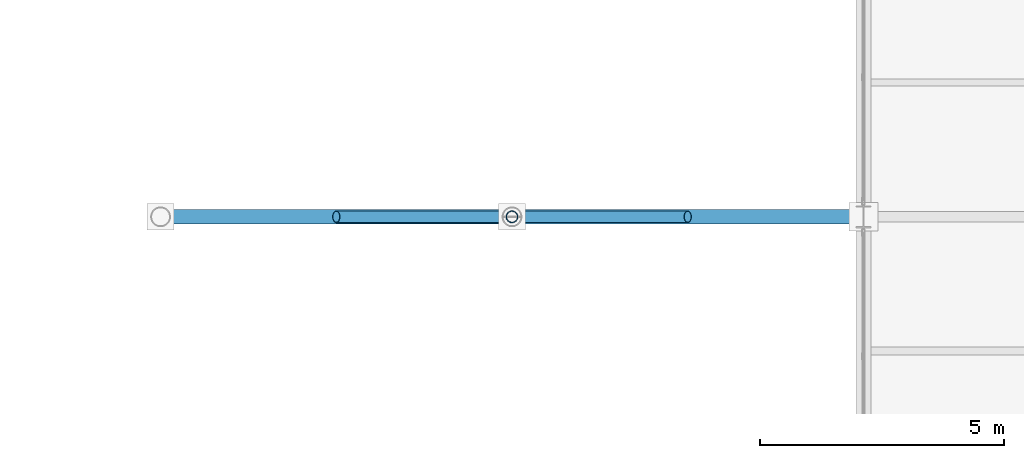
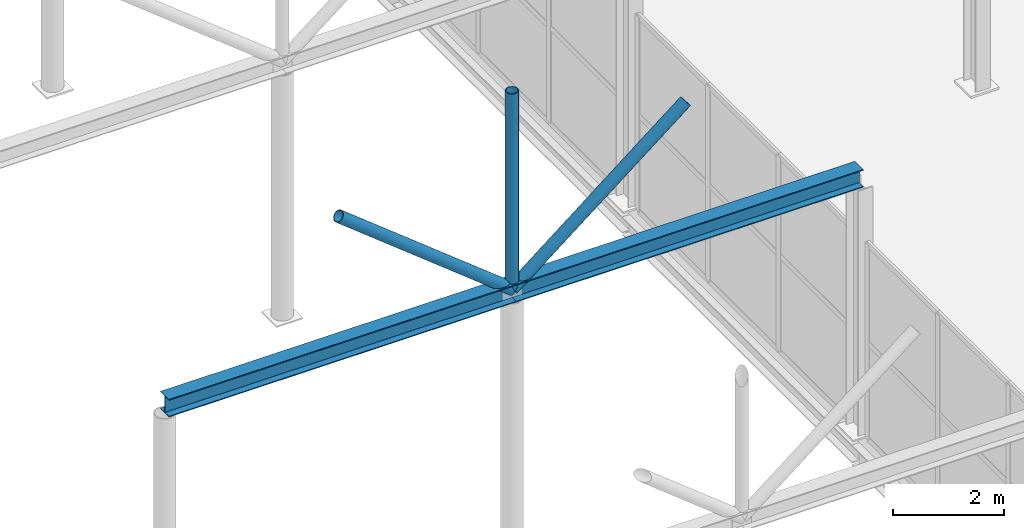
# One storey, part 21 of 147: 3 members, 2 beams.
"""IFC4 building model written with IfcOpenShell, lengths in metres."""

from ifc_helpers import new_model, si_unit, direction, frame, origin, origin_2d, place, context, subcontext, project, spatial, hollow_circle, i_section, extrude, material, material_profile, profile_set, type_object, element, save


model = new_model("IFC4")

# Units and contexts
model_context = context("Model", 3, precision=1e-05, world=origin(), true_north=direction((0.0, 1.0)))
body_context = subcontext(model_context, "Body", "Model", "MODEL_VIEW")
ifc_project = project(units=[si_unit("LENGTHUNIT", "METRE"), si_unit("AREAUNIT", "SQUARE_METRE"), si_unit("VOLUMEUNIT", "CUBIC_METRE"), si_unit("PLANEANGLEUNIT", "RADIAN"), si_unit("MASSUNIT", "GRAM", prefix="KILO")], contexts=[model_context])

# Site, building, storey
site_placement = place(None, origin())
site = spatial("IfcSite", under=ifc_project, at=site_placement, CompositionType="ELEMENT")
building_placement = place(site_placement, origin())
building = spatial("IfcBuilding", under=site, at=building_placement, Name="Sundgate Opera House", CompositionType="ELEMENT")
storey_placement = place(building_placement, frame((0.0, 0.0, 6.0)))
storey = spatial("IfcBuildingStorey", under=building, at=storey_placement, Name="L01", CompositionType="ELEMENT", Elevation=6.0)

# Beams
ifc_material_1 = material(Name="Steel S355J2", Category="steel")
ifc_material_profile_1 = material_profile(ifc_material_1, i_section(OverallWidth=0.300048828125, OverallDepth=0.389892578125, WebThickness=0.010986328125, FlangeThickness=0.01904296875, at=origin_2d()), Name="HEA 400")
ifc_profile_set_1 = profile_set([ifc_material_profile_1], Name="Steel S355J2")
beam_type = type_object("IfcBeamType", Name="BM-GR-HEA400", PredefinedType="BEAM", material=ifc_profile_set_1)
for number, where, z_axis, x_axis, name in (
    (1, (81.0, 8.25, 5.5849609375), (1.0, 0.0, 0.0), (0.0, 1.0, 0.0), "L01 Passage Arch Tie Beam B3393"),
    (2, (88.199951171875, 8.25, 5.5849609375), (1.0, 0.0, 0.0), (0.0, 1.0, 0.0), "L01 Passage Arch Tie Beam B3394"),
):
    element("IfcBeam", number, at=place(storey_placement, frame(where, z_axis=z_axis, x_axis=x_axis)), inside=storey, type_object=beam_type, Name=name, PredefinedType="BEAM", context=body_context, shape_type="SweptSolid", body=[
        extrude(i_section(OverallWidth=0.300048828125, OverallDepth=0.389892578125, WebThickness=0.010986328125, FlangeThickness=0.01904296875, at=origin_2d()), origin(), (0.0, 0.0, 1.0), 7.199951171875),
    ])

# Members
ifc_material_2 = material(Name="Steel S355J2", Category="steel")
ifc_material_profile_2 = material_profile(ifc_material_2, hollow_circle(Radius=0.122314453125, WallThickness=0.012451171875, at=origin_2d()), Name="CHS 244.5x12.5")
ifc_profile_set_2 = profile_set([ifc_material_profile_2], Name="Steel S355J2")
member_type = type_object("IfcMemberType", Name="MB-STRUT-CHS244", PredefinedType="STRUT", material=ifc_profile_set_2)
member_1_placement = place(storey_placement, frame((88.199951171875, 8.25, 5.594970703125), z_axis=(-0.78350570776, 0.0, 0.621384587762), x_axis=(0.0, -1.0, 0.0)))
element("IfcMember", 3, at=member_1_placement, inside=storey, type_object=member_type, Name="Passage Arch Spandrel Strut M0283", PredefinedType="STRUT", context=body_context, shape_type="SweptSolid", body=[
    extrude(hollow_circle(Radius=0.122314453125, WallThickness=0.012451171875, at=origin_2d()), origin(), (0.0, 0.0, 1.0), 4.594482421875),
])
member_2_placement = place(storey_placement, frame((88.199951171875, 8.25, 5.594970703125), z_axis=(0.783526223691, 0.0, 0.621358718285), x_axis=(0.0, 1.0, 0.0)))
element("IfcMember", 4, at=member_2_placement, inside=storey, type_object=member_type, Name="Passage Arch Spandrel Strut M0284", PredefinedType="STRUT", context=body_context, shape_type="SweptSolid", body=[
    extrude(hollow_circle(Radius=0.122314453125, WallThickness=0.012451171875, at=origin_2d()), origin(), (0.0, 0.0, 1.0), 4.5947265625),
])
member_3_placement = place(storey_placement, frame((88.199951171875, 8.25, 5.594970703125), z_axis=(0.0, 0.0, 1.0), x_axis=(1.0, 0.0, 0.0)))
element("IfcMember", 5, at=member_3_placement, inside=storey, type_object=member_type, Name="Passage Arch Crown Post M0285", PredefinedType="STRUT", context=body_context, shape_type="SweptSolid", body=[
    extrude(hollow_circle(Radius=0.122314453125, WallThickness=0.012451171875, at=origin_2d()), origin(), (0.0, 0.0, 1.0), 4.35498046875),
])

save(model, "model.ifc")
